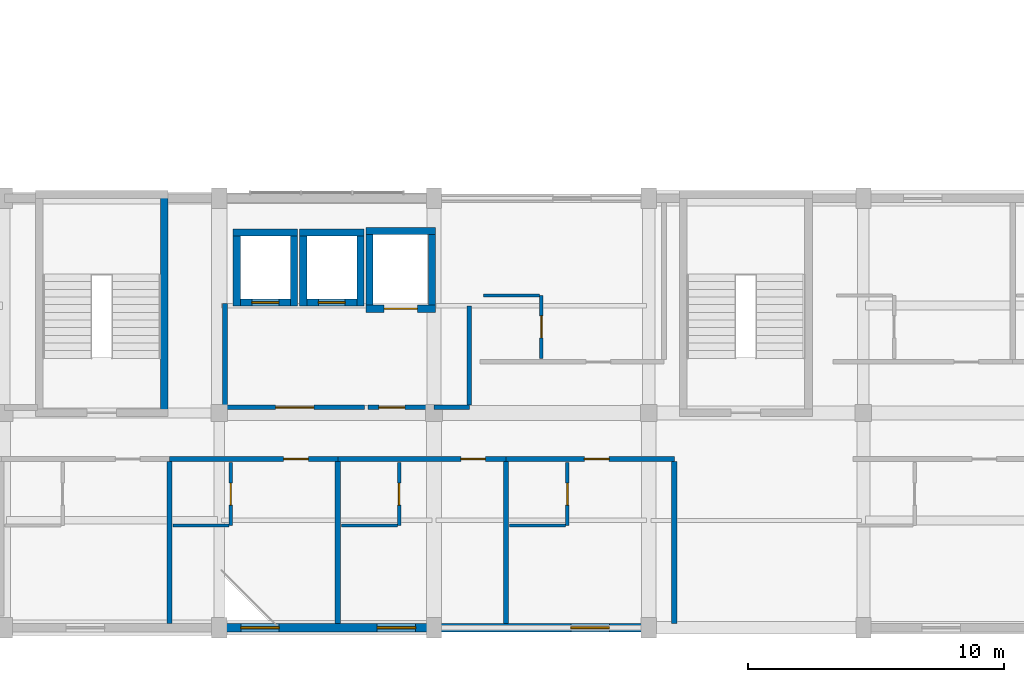
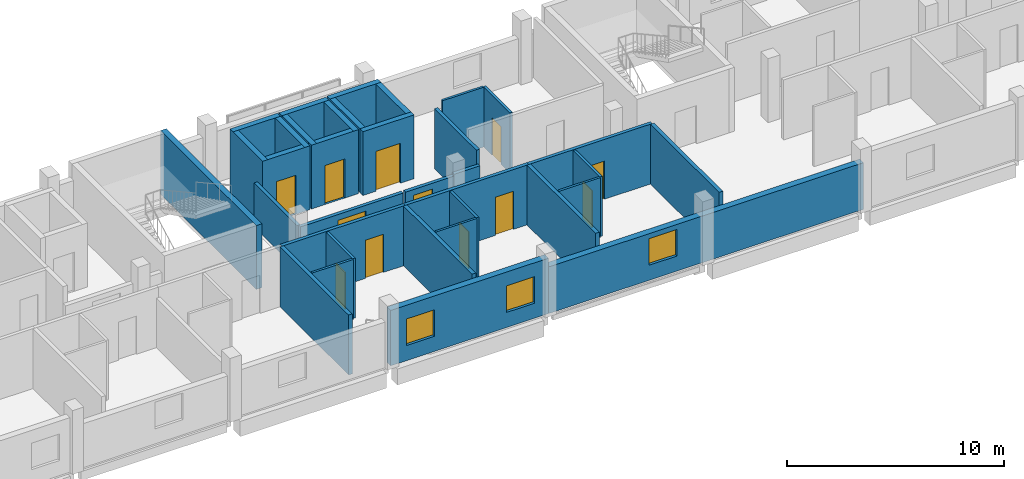
# One storey, part 18 of 26: 35 walls, 12 doors, 3 windows, 15 openings.
"""IFC4 building model written with IfcOpenShell, lengths in metres."""

import ifcopenshell
import ifcopenshell.guid

model = None  # the IFC model being written
_history = None  # IfcOwnerHistory: only IFC2X3 demands one
_inside = {}  # id of a spatial element -> (the spatial element, [elements in it])
_under = {}  # id of a project, library or spatial element -> (it, [spatial elements below it])
_declared = {}  # id of a project -> (the project, [libraries it declares])
_typed = {}  # id of a type object -> (the type object, [elements of that type])
_made_of = {}  # id of a material, layer set ... -> (it, [elements and type objects made of it])


def new_model(schema):
    """Start an empty IFC model of exactly this schema.

    Asked for "IFC4X3", IfcOpenShell would pick the latest addendum, in which some entities
    have other attributes; the version numbers below select the first issue.
    IFC2X3 requires an IfcOwnerHistory on every rooted entity: one is made here for all.
    """
    global model, _history
    if schema == "IFC4X3":
        model = ifcopenshell.file(schema_version=(4, 3, 0, 0))
    else:
        model = ifcopenshell.file(schema=schema)
    _inside.clear()
    _under.clear()
    _declared.clear()
    _typed.clear()
    _made_of.clear()
    _history = None
    if model.schema == "IFC2X3":
        org = make("IfcOrganization", Name="unknown")
        user = make(
            "IfcPersonAndOrganization",
            ThePerson=make("IfcPerson", FamilyName="unknown"),
            TheOrganization=org,
        )
        app = make(
            "IfcApplication",
            ApplicationDeveloper=org,
            Version="unknown",
            ApplicationFullName="unknown",
            ApplicationIdentifier="unknown",
        )
        _history = make(
            "IfcOwnerHistory",
            OwningUser=user,
            OwningApplication=app,
            ChangeAction="ADDED",
            CreationDate=0,
        )
    return model


def make(cls, **values):
    """One entity of the class cls with the attributes given. An attribute that is None is left unset."""
    return model.create_entity(
        cls, **{name: value for name, value in values.items() if value is not None}
    )


def rooted(cls, **values):
    """An entity with a GlobalId (a new one), such as an element, a storey or a relation."""
    return make(cls, GlobalId=ifcopenshell.guid.new(), OwnerHistory=_history, **values)


def si_unit(unit_type, name, prefix=None):
    """IfcSIUnit, for example si_unit("LENGTHUNIT", "METRE", prefix="MILLI")."""
    return make("IfcSIUnit", UnitType=unit_type, Prefix=prefix, Name=name)


def derived_unit(unit_type, elements):
    """IfcDerivedUnit: a product of units, each with its exponent."""
    return make(
        "IfcDerivedUnit",
        Elements=[
            make("IfcDerivedUnitElement", Unit=unit, Exponent=power)
            for unit, power in elements
        ],
        UnitType=unit_type,
    )


def assignment(units):
    """IfcUnitAssignment: the units of a project."""
    return None if units is None else make("IfcUnitAssignment", Units=units)


def point(xyz):
    """IfcCartesianPoint."""
    return None if xyz is None else make("IfcCartesianPoint", Coordinates=xyz)


def direction(xyz):
    """IfcDirection."""
    return None if xyz is None else make("IfcDirection", DirectionRatios=xyz)


def frame(location, z_axis=None, x_axis=None):
    """IfcAxis2Placement3D, a coordinate frame: its origin and axes. An axis left out is left unset."""
    return make(
        "IfcAxis2Placement3D",
        Location=point(location),
        Axis=direction(z_axis),
        RefDirection=direction(x_axis),
    )


def frame_2d(location, x_axis=None):
    """IfcAxis2Placement2D, a coordinate frame in the plane: its origin and x axis."""
    return make(
        "IfcAxis2Placement2D", Location=point(location), RefDirection=direction(x_axis)
    )


def origin():
    """The frame at (0, 0, 0) with its axes left unset."""
    return frame((0.0, 0.0, 0.0))


def place(relative_to, where):
    """IfcLocalPlacement: puts the frame where relative to a parent placement (None: the world)."""
    return make(
        "IfcLocalPlacement", PlacementRelTo=relative_to, RelativePlacement=where
    )


def context(
    kind, dimensions, precision=None, world=None, true_north=None, identifier=None
):
    """IfcGeometricRepresentationContext, for example the 3D "Model" context."""
    return make(
        "IfcGeometricRepresentationContext",
        ContextIdentifier=identifier,
        ContextType=kind,
        CoordinateSpaceDimension=dimensions,
        Precision=precision,
        WorldCoordinateSystem=world,
        TrueNorth=true_north,
    )


def subcontext(parent, identifier, kind, view, scale=None):
    """IfcGeometricRepresentationSubContext, for example "Body" below "Model"."""
    return make(
        "IfcGeometricRepresentationSubContext",
        ContextIdentifier=identifier,
        ContextType=kind,
        ParentContext=parent,
        TargetScale=scale,
        TargetView=view,
    )


def project(units=None, contexts=None):
    """IfcProject with its units and contexts."""
    return rooted(
        "IfcProject",
        Name="project",
        RepresentationContexts=contexts,
        UnitsInContext=assignment(units),
    )


def spatial(cls, under=None, at=None, **own):
    """A site, building, storey or space (cls), placed at a placement, below another one or the project."""
    s = rooted(cls, ObjectPlacement=at, **own)
    if under is not None:
        _under.setdefault(under.id(), (under, []))[1].append(s)
    return s


def profile(cls, at=None, kind="AREA", **sizes):
    """A parametric profile (cls). Its sizes go by their IFC names, for example OverallWidth=200.0."""
    return make(cls, ProfileType=kind, Position=at, **sizes)


def rectangle(**sizes):
    """IfcRectangleProfileDef."""
    return profile("IfcRectangleProfileDef", **sizes)


def extrude(swept, where, along, depth):
    """IfcExtrudedAreaSolid: the profile swept, set in the frame where, extruded along a direction by depth."""
    return make(
        "IfcExtrudedAreaSolid",
        SweptArea=swept,
        Position=where,
        ExtrudedDirection=direction(along),
        Depth=depth,
    )


def shape(context_of_items, identifier, shape_type, items):
    """IfcShapeRepresentation: the items that make up one representation, for example the "Body"."""
    return make(
        "IfcShapeRepresentation",
        ContextOfItems=context_of_items,
        RepresentationIdentifier=identifier,
        RepresentationType=shape_type,
        Items=items,
    )


def material(Name=None, Category=None):
    """IfcMaterial."""
    return make("IfcMaterial", Name=Name, Category=Category)


def layer(
    of_material, thickness, ventilated=None, Name=None, Category=None, Priority=None
):
    """IfcMaterialLayer: one layer of a wall or slab, of a material (None: an air gap)."""
    return make(
        "IfcMaterialLayer",
        Material=of_material,
        LayerThickness=thickness,
        IsVentilated=ventilated,
        Name=Name,
        Category=Category,
        Priority=Priority,
    )


def layer_set(layers, Name=None):
    """IfcMaterialLayerSet."""
    return make("IfcMaterialLayerSet", MaterialLayers=layers, LayerSetName=Name)


def made_of(thing, what):
    """Note that an element or type object is made of a material, layer set ...; save() writes the relation."""
    if what is not None:
        _made_of.setdefault(what.id(), (what, []))[1].append(thing)
    return thing


def type_object(cls, material=None, **own):
    """A type object (cls), such as IfcWallType, which elements share."""
    return made_of(rooted(cls, **own), material)


def element(
    cls,
    number,
    at=None,
    inside=None,
    cuts=None,
    type_object=None,
    material=None,
    context=None,
    identifier="Body",
    shape_type=None,
    held_by="IfcProductDefinitionShape",
    body=None,
    shapes=None,
    **own,
):
    """One element of the class cls, such as IfcWall. Its Tag is "e" and its number.

    at: its placement. inside: the storey or other place that contains it. cuts: it is an
    opening in that element (IfcRelVoidsElement). A single representation is given by context,
    identifier, shape_type and body (its items); several are given by shapes. held_by: the class
    of the entity that holds the representations. save() writes the other relations.
    """
    e = rooted(cls, Tag="e%d" % number, ObjectPlacement=at, **own)
    if body is not None:
        shapes = [shape(context, identifier, shape_type, body)]
    if shapes is not None:
        e.Representation = make(held_by, Representations=shapes)
    if inside is not None:
        _inside.setdefault(inside.id(), (inside, []))[1].append(e)
    if cuts is not None:
        rooted(
            "IfcRelVoidsElement", RelatingBuildingElement=cuts, RelatedOpeningElement=e
        )
    if type_object is not None:
        _typed.setdefault(type_object.id(), (type_object, []))[1].append(e)
    return made_of(e, material)


def fill(opening, filler):
    """IfcRelFillsElement: the door or window that sits in an opening."""
    return rooted(
        "IfcRelFillsElement",
        RelatingOpeningElement=opening,
        RelatedBuildingElement=filler,
    )


def aggregate(whole, parts):
    """IfcRelAggregates: a whole, such as a stair, and the parts it consists of."""
    return rooted("IfcRelAggregates", RelatingObject=whole, RelatedObjects=parts)


def save(model, path):
    """Write the relations noted so far, then the file.

    IfcRelAggregates (storeys below a building ...), IfcRelContainedInSpatialStructure (elements
    in a storey), IfcRelDefinesByType, IfcRelAssociatesMaterial and IfcRelDeclares: one each for
    every whole, place, type object, material and project.
    """
    for whole, parts in _under.values():
        aggregate(whole, parts)
    for where, things in _inside.values():
        rooted(
            "IfcRelContainedInSpatialStructure",
            RelatedElements=things,
            RelatingStructure=where,
        )
    for kind, things in _typed.values():
        rooted("IfcRelDefinesByType", RelatedObjects=things, RelatingType=kind)
    for what, things in _made_of.values():
        rooted("IfcRelAssociatesMaterial", RelatedObjects=things, RelatingMaterial=what)
    for by, libraries in _declared.values():
        rooted("IfcRelDeclares", RelatingContext=by, RelatedDefinitions=libraries)
    model.write(path)


model = new_model("IFC4")

# Units and contexts
model_context = context("Model", 3, precision=1e-05, world=origin(), true_north=direction((0.0, 1.0)))
body_context = subcontext(model_context, "Body", "Model", "MODEL_VIEW")
ifc_project = project(units=[si_unit("LENGTHUNIT", "METRE"), si_unit("AREAUNIT", "SQUARE_METRE"), si_unit("VOLUMEUNIT", "CUBIC_METRE"), si_unit("PLANEANGLEUNIT", "RADIAN"), si_unit("MASSUNIT", "GRAM", prefix="KILO"), derived_unit("THERMALTRANSMITTANCEUNIT", [(si_unit("POWERUNIT", "WATT"), 1), (si_unit("LENGTHUNIT", "METRE"), -2), (si_unit("THERMODYNAMICTEMPERATUREUNIT", "KELVIN"), -1)])], contexts=[model_context])

# Site, building, storey
site_placement = place(None, origin())
site = spatial("IfcSite", under=ifc_project, at=site_placement, CompositionType="ELEMENT")
building_placement = place(site_placement, origin())
building = spatial("IfcBuilding", under=site, at=building_placement, Name="Barrovel Congress Hotel", CompositionType="ELEMENT")
storey_placement = place(building_placement, frame((0.0, 0.0, 21.89990234375)))
storey = spatial("IfcBuildingStorey", under=building, at=storey_placement, Name="L05", CompositionType="ELEMENT", Elevation=21.89990234375)

# Wall, opening, window
ifc_material_1 = material(Name="Fired Clay Brick Masonry", Category="masonry")
ifc_layer_1 = layer(ifc_material_1, 0.340087890625)
ifc_layer_set_1 = layer_set([ifc_layer_1], Name="Fired Clay Brick Masonry")
wall_type_1 = type_object("IfcWallType", Name="EW-BRK340", PredefinedType="STANDARD", material=ifc_layer_set_1)
wall_1_placement = place(storey_placement, frame((92.39990234375, 4.199951171875, 0.0), z_axis=(0.0, 0.0, 1.0), x_axis=(1.0, 0.0, 0.0)))
wall_1 = element("IfcWall", 1, at=wall_1_placement, inside=storey, type_object=wall_type_1, Name="EW:L05:HS-S", PredefinedType="STANDARD", context=body_context, shape_type="SweptSolid", body=[
    extrude(rectangle(XDim=16.800048828125, YDim=0.340087890625, at=frame_2d((8.39990234375, 0.0))), origin(), (0.0, 0.0, 1.0), 2.630126953125),
])
opening_1_placement = place(wall_1_placement, frame((5.3583984375, 0.0, 0.85009765625)))
opening_1 = element("IfcOpeningElement", 2, at=opening_1_placement, cuts=wall_1, Name="Opening WN-07", PredefinedType="OPENING", context=body_context, shape_type="SweptSolid", body=[
    extrude(rectangle(XDim=1.5, YDim=1.5, at=frame_2d((0.75, 0.75))), frame((0.0, 0.18017578125, 0.0), z_axis=(0.0, -1.0, 0.0), x_axis=(1.0, 0.0, 0.0)), (0.0, 0.0, 1.0), 0.360107421875),
])
ifc_material_2 = material(Name="Double Low-E Insulated Glazing", Category="glass")
window_type = type_object("IfcWindowType", Name="WIN-WN-07", PartitioningType="SINGLE_PANEL", PredefinedType="WINDOW", material=ifc_material_2)
window_1_placement = place(opening_1_placement, origin())
window_1 = element("IfcWindow", 3, at=window_1_placement, inside=storey, type_object=window_type, Name="WIN:L05:U13", OverallHeight=1.5, OverallWidth=1.5, PartitioningType="SINGLE_PANEL", PredefinedType="WINDOW", context=body_context, shape_type="SweptSolid", body=[
    extrude(rectangle(XDim=1.5, YDim=1.5, at=frame_2d((0.75, 0.75))), frame((0.0, 0.030029296875, 0.0), z_axis=(0.0, -1.0, 0.0), x_axis=(1.0, 0.0, 0.0)), (0.0, 0.0, 1.0), 0.06005859375),
])
fill(opening_1, window_1)

# Wall, openings, windows
wall_2_placement = place(storey_placement, frame((84.0, 4.199951171875, 0.0), z_axis=(0.0, 0.0, 1.0), x_axis=(1.0, 0.0, 0.0)))
wall_2 = element("IfcWall", 4, at=wall_2_placement, inside=storey, type_object=wall_type_1, Name="EW:L05:HS-S:P08", PredefinedType="STANDARD", context=body_context, shape_type="SweptSolid", body=[
    extrude(rectangle(XDim=8.39990234375, YDim=0.340087890625, at=frame_2d((4.199951171875, 0.0))), origin(), (0.0, 0.0, 1.0), 3.1259765625),
])
opening_2_placement = place(wall_2_placement, frame((0.841796875, 0.0, 0.85009765625)))
opening_2 = element("IfcOpeningElement", 5, at=opening_2_placement, cuts=wall_2, Name="Opening WN-07", PredefinedType="OPENING", context=body_context, shape_type="SweptSolid", body=[
    extrude(rectangle(XDim=1.5, YDim=1.5, at=frame_2d((0.75, 0.75))), frame((0.0, 0.18017578125, 0.0), z_axis=(0.0, -1.0, 0.0), x_axis=(1.0, 0.0, 0.0)), (0.0, 0.0, 1.0), 0.360107421875),
])
opening_3_placement = place(wall_2_placement, frame((6.175048828125, 0.0, 0.85009765625)))
opening_3 = element("IfcOpeningElement", 6, at=opening_3_placement, cuts=wall_2, Name="Opening WN-07", PredefinedType="OPENING", context=body_context, shape_type="SweptSolid", body=[
    extrude(rectangle(XDim=1.5, YDim=1.5, at=frame_2d((0.75, 0.75))), frame((0.0, 0.18017578125, 0.0), z_axis=(0.0, -1.0, 0.0), x_axis=(1.0, 0.0, 0.0)), (0.0, 0.0, 1.0), 0.360107421875),
])
window_2_placement = place(opening_2_placement, origin())
window_2 = element("IfcWindow", 7, at=window_2_placement, inside=storey, type_object=window_type, Name="WIN:L05:U11", OverallHeight=1.5, OverallWidth=1.5, PartitioningType="SINGLE_PANEL", PredefinedType="WINDOW", context=body_context, shape_type="SweptSolid", body=[
    extrude(rectangle(XDim=1.5, YDim=1.5, at=frame_2d((0.75, 0.75))), frame((0.0, 0.030029296875, 0.0), z_axis=(0.0, -1.0, 0.0), x_axis=(1.0, 0.0, 0.0)), (0.0, 0.0, 1.0), 0.06005859375),
])
fill(opening_2, window_2)
window_3_placement = place(opening_3_placement, origin())
window_3 = element("IfcWindow", 8, at=window_3_placement, inside=storey, type_object=window_type, Name="WIN:L05:U12", OverallHeight=1.5, OverallWidth=1.5, PartitioningType="SINGLE_PANEL", PredefinedType="WINDOW", context=body_context, shape_type="SweptSolid", body=[
    extrude(rectangle(XDim=1.5, YDim=1.5, at=frame_2d((0.75, 0.75))), frame((0.0, 0.030029296875, 0.0), z_axis=(0.0, -1.0, 0.0), x_axis=(1.0, 0.0, 0.0)), (0.0, 0.0, 1.0), 0.06005859375),
])
fill(opening_3, window_3)

# Wall, opening, door
ifc_material_3 = material(Name="Gypsum Acoustic Stud", Category="gypsum")
ifc_layer_2 = layer(ifc_material_3, 0.179931640625)
ifc_layer_set_2 = layer_set([ifc_layer_2], Name="Gypsum Acoustic Stud")
wall_type_2 = type_object("IfcWallType", Name="PW-ACU-180", PredefinedType="PARTITIONING", material=ifc_layer_set_2)
wall_3_placement = place(storey_placement, frame((82.050048828125, 10.800048828125, 0.0), z_axis=(0.0, 0.0, 1.0), x_axis=(1.0, 0.0, 0.0)))
wall_3 = element("IfcWall", 9, at=wall_3_placement, inside=storey, type_object=wall_type_2, Name="PW:L05:U11:COR", PredefinedType="PARTITIONING", context=body_context, shape_type="SweptSolid", body=[
    extrude(rectangle(XDim=6.583251953125, YDim=0.179931640625, at=frame_2d((3.29150390625, 0.0))), origin(), (0.0, 0.0, 1.0), 3.375),
])
opening_4_placement = place(wall_3_placement, frame((4.468505859375, 0.0, 0.0)))
opening_4 = element("IfcOpeningElement", 10, at=opening_4_placement, cuts=wall_3, Name="Opening ID-HTL", PredefinedType="OPENING", context=body_context, shape_type="SweptSolid", body=[
    extrude(rectangle(XDim=0.9599609375, YDim=2.14990234375, at=frame_2d((0.47998046875, 1.074951171875))), frame((0.0, 0.10009765625, 0.0), z_axis=(0.0, -1.0, 0.0), x_axis=(1.0, 0.0, 0.0)), (0.0, 0.0, 1.0), 0.199951171875),
])
ifc_material_4 = material(Name="Solid Oak Acoustic Timber Door", Category="wood")
door_type_1 = type_object("IfcDoorType", Name="IDR-ID-HTL", OperationType="NOTDEFINED", PredefinedType="DOOR", material=ifc_material_4)
door_1_placement = place(opening_4_placement, origin())
door_1 = element("IfcDoor", 11, at=door_1_placement, inside=storey, type_object=door_type_1, Name="DR:L05:U11:ENT", OperationType="SINGLE_SWING_RIGHT", OverallHeight=2.14990234375, OverallWidth=0.9599609375, PredefinedType="DOOR", context=body_context, shape_type="SweptSolid", body=[
    extrude(rectangle(XDim=0.9599609375, YDim=2.14990234375, at=frame_2d((0.47998046875, 1.074951171875))), frame((0.0, 0.02490234375, 0.0), z_axis=(0.0, -1.0, 0.0), x_axis=(1.0, 0.0, 0.0)), (0.0, 0.0, 1.0), 0.050048828125),
])
fill(opening_4, door_1)

wall_4_placement = place(storey_placement, frame((88.63330078125, 10.800048828125, 0.0), z_axis=(0.0, 0.0, 1.0), x_axis=(1.0, 0.0, 0.0)))
wall_4 = element("IfcWall", 12, at=wall_4_placement, inside=storey, type_object=wall_type_2, Name="PW:L05:U12:COR", PredefinedType="PARTITIONING", context=body_context, shape_type="SweptSolid", body=[
    extrude(rectangle(XDim=6.58349609375, YDim=0.179931640625, at=frame_2d((3.291748046875, 0.0))), origin(), (0.0, 0.0, 1.0), 3.375),
])
opening_5_placement = place(wall_4_placement, frame((4.818603515625, 0.0, 0.0)))
opening_5 = element("IfcOpeningElement", 13, at=opening_5_placement, cuts=wall_4, Name="Opening ID-HTL", PredefinedType="OPENING", context=body_context, shape_type="SweptSolid", body=[
    extrude(rectangle(XDim=0.9599609375, YDim=2.14990234375, at=frame_2d((0.47998046875, 1.074951171875))), frame((0.0, 0.10009765625, 0.0), z_axis=(0.0, -1.0, 0.0), x_axis=(1.0, 0.0, 0.0)), (0.0, 0.0, 1.0), 0.199951171875),
])
door_2_placement = place(opening_5_placement, origin())
door_2 = element("IfcDoor", 14, at=door_2_placement, inside=storey, type_object=door_type_1, Name="DR:L05:U12:ENT", OperationType="SINGLE_SWING_RIGHT", OverallHeight=2.14990234375, OverallWidth=0.9599609375, PredefinedType="DOOR", context=body_context, shape_type="SweptSolid", body=[
    extrude(rectangle(XDim=0.9599609375, YDim=2.14990234375, at=frame_2d((0.47998046875, 1.074951171875))), frame((0.0, 0.02490234375, 0.0), z_axis=(0.0, -1.0, 0.0), x_axis=(1.0, 0.0, 0.0)), (0.0, 0.0, 1.0), 0.050048828125),
])
fill(opening_5, door_2)

wall_5_placement = place(storey_placement, frame((95.216796875, 10.800048828125, 0.0), z_axis=(0.0, 0.0, 1.0), x_axis=(1.0, 0.0, 0.0)))
wall_5 = element("IfcWall", 15, at=wall_5_placement, inside=storey, type_object=wall_type_2, Name="PW:L05:U13:COR", PredefinedType="PARTITIONING", context=body_context, shape_type="SweptSolid", body=[
    extrude(rectangle(XDim=6.583251953125, YDim=0.179931640625, at=frame_2d((3.29150390625, 0.0))), origin(), (0.0, 0.0, 1.0), 3.375),
])
opening_6_placement = place(wall_5_placement, frame((3.068603515625, 0.0, 0.0)))
opening_6 = element("IfcOpeningElement", 16, at=opening_6_placement, cuts=wall_5, Name="Opening ID-HTL", PredefinedType="OPENING", context=body_context, shape_type="SweptSolid", body=[
    extrude(rectangle(XDim=0.9599609375, YDim=2.14990234375, at=frame_2d((0.47998046875, 1.074951171875))), frame((0.0, 0.10009765625, 0.0), z_axis=(0.0, -1.0, 0.0), x_axis=(1.0, 0.0, 0.0)), (0.0, 0.0, 1.0), 0.199951171875),
])
door_3_placement = place(opening_6_placement, origin())
door_3 = element("IfcDoor", 17, at=door_3_placement, inside=storey, type_object=door_type_1, Name="DR:L05:U13:ENT", OperationType="SINGLE_SWING_RIGHT", OverallHeight=2.14990234375, OverallWidth=0.9599609375, PredefinedType="DOOR", context=body_context, shape_type="SweptSolid", body=[
    extrude(rectangle(XDim=0.9599609375, YDim=2.14990234375, at=frame_2d((0.47998046875, 1.074951171875))), frame((0.0, 0.02490234375, 0.0), z_axis=(0.0, -1.0, 0.0), x_axis=(1.0, 0.0, 0.0)), (0.0, 0.0, 1.0), 0.050048828125),
])
fill(opening_6, door_3)

wall_6_placement = place(storey_placement, frame((84.219970703125, 12.820068359375, 0.0), z_axis=(0.0, 0.0, 1.0), x_axis=(1.0, 0.0, 0.0)))
wall_6 = element("IfcWall", 18, at=wall_6_placement, inside=storey, type_object=wall_type_2, Name="RW:SP:L05:LL-C2:S", PredefinedType="PARTITIONING", context=body_context, shape_type="SweptSolid", body=[
    extrude(rectangle(XDim=5.4599609375, YDim=0.179931640625, at=frame_2d((2.72998046875, 0.0))), origin(), (0.0, 0.0, 1.0), 2.47998046875),
])
opening_7_placement = place(wall_6_placement, frame((1.97998046875, 0.0, 0.0)))
opening_7 = element("IfcOpeningElement", 19, at=opening_7_placement, cuts=wall_6, Name="Opening ID-FFL", PredefinedType="OPENING", context=body_context, shape_type="SweptSolid", body=[
    extrude(rectangle(XDim=1.5, YDim=2.14990234375, at=frame_2d((0.75, 1.074951171875))), frame((0.0, 0.10009765625, 0.0), z_axis=(0.0, -1.0, 0.0), x_axis=(1.0, 0.0, 0.0)), (0.0, 0.0, 1.0), 0.199951171875),
])
ifc_material_5 = material(Name="Painted Hollow-Metal Steel Door", Category="steel")
door_type_2 = type_object("IfcDoorType", Name="IDR-ID-FFL", OperationType="NOTDEFINED", PredefinedType="DOOR", material=ifc_material_5)
door_4_placement = place(opening_7_placement, origin())
door_4 = element("IfcDoor", 20, at=door_4_placement, inside=storey, type_object=door_type_2, Name="RD:SP:L05:LL-C2", OperationType="DOUBLE_DOOR_SINGLE_SWING", OverallHeight=2.14990234375, OverallWidth=1.5, PredefinedType="DOOR", context=body_context, shape_type="SweptSolid", body=[
    extrude(rectangle(XDim=1.5, YDim=2.14990234375, at=frame_2d((0.75, 1.074951171875))), frame((0.0, 0.02490234375, 0.0), z_axis=(0.0, -1.0, 0.0), x_axis=(1.0, 0.0, 0.0)), (0.0, 0.0, 1.0), 0.050048828125),
])
fill(opening_7, door_4)

# Wall
wall_7_placement = place(storey_placement, frame((84.219970703125, 12.909912109375, 0.0), z_axis=(0.0, 0.0, 1.0), x_axis=(0.0, 1.0, 0.0)))
element("IfcWall", 21, at=wall_7_placement, inside=storey, type_object=wall_type_2, Name="RW:SP:L05:LL-C2:W", PredefinedType="PARTITIONING", context=body_context, shape_type="SweptSolid", body=[
    extrude(rectangle(XDim=3.969970703125, YDim=0.179931640625, at=frame_2d((1.98486328125, 0.0))), origin(), (0.0, 0.0, 1.0), 2.47998046875),
])

# Wall, opening, door
wall_8_placement = place(storey_placement, frame((89.820068359375, 12.820068359375, 0.0), z_axis=(0.0, 0.0, 1.0), x_axis=(1.0, 0.0, 0.0)))
wall_8 = element("IfcWall", 22, at=wall_8_placement, inside=storey, type_object=wall_type_2, Name="RW:SP:L05:LL-SL2:S", PredefinedType="PARTITIONING", context=body_context, shape_type="SweptSolid", body=[
    extrude(rectangle(XDim=2.579833984375, YDim=0.179931640625, at=frame_2d((1.2900390625, 0.0))), origin(), (0.0, 0.0, 1.0), 2.47998046875),
])
opening_8_placement = place(wall_8_placement, frame((0.419921875, 0.0, 0.0)))
opening_8 = element("IfcOpeningElement", 23, at=opening_8_placement, cuts=wall_8, Name="Opening ID-ACC", PredefinedType="OPENING", context=body_context, shape_type="SweptSolid", body=[
    extrude(rectangle(XDim=1.02001953125, YDim=2.14990234375, at=frame_2d((0.510009765625, 1.074951171875))), frame((0.0, 0.10009765625, 0.0), z_axis=(0.0, -1.0, 0.0), x_axis=(1.0, 0.0, 0.0)), (0.0, 0.0, 1.0), 0.199951171875),
])
door_type_3 = type_object("IfcDoorType", Name="IDR-ID-ACC", OperationType="NOTDEFINED", PredefinedType="DOOR", material=ifc_material_4)
door_5_placement = place(opening_8_placement, origin())
door_5 = element("IfcDoor", 24, at=door_5_placement, inside=storey, type_object=door_type_3, Name="RD:SP:L05:LL-SL2", OperationType="SINGLE_SWING_RIGHT", OverallHeight=2.14990234375, OverallWidth=1.02001953125, PredefinedType="DOOR", context=body_context, shape_type="SweptSolid", body=[
    extrude(rectangle(XDim=1.02001953125, YDim=2.14990234375, at=frame_2d((0.510009765625, 1.074951171875))), frame((0.0, 0.02490234375, 0.0), z_axis=(0.0, -1.0, 0.0), x_axis=(1.0, 0.0, 0.0)), (0.0, 0.0, 1.0), 0.050048828125),
])
fill(opening_8, door_5)

# Walls
wall_9_placement = place(storey_placement, frame((93.780029296875, 12.909912109375, 0.0), z_axis=(0.0, 0.0, 1.0), x_axis=(0.0, 1.0, 0.0)))
element("IfcWall", 25, at=wall_9_placement, inside=storey, type_object=wall_type_2, Name="RW:SP:L05:LL-SL2:E", PredefinedType="PARTITIONING", context=body_context, shape_type="SweptSolid", body=[
    extrude(rectangle(XDim=3.8701171875, YDim=0.179931640625, at=frame_2d((1.93505859375, 0.0))), origin(), (0.0, 0.0, 1.0), 3.375),
])
wall_10_placement = place(storey_placement, frame((92.39990234375, 12.820068359375, 0.0), z_axis=(0.0, 0.0, 1.0), x_axis=(1.0, 0.0, 0.0)))
element("IfcWall", 26, at=wall_10_placement, inside=storey, type_object=wall_type_2, Name="RW:SP:L05:LL-SL2:S:P02", PredefinedType="PARTITIONING", context=body_context, shape_type="SweptSolid", body=[
    extrude(rectangle(XDim=1.380126953125, YDim=0.179931640625, at=frame_2d((0.68994140625, 0.0))), origin(), (0.0, 0.0, 1.0), 2.580078125),
])
ifc_layer_3 = layer(ifc_material_3, 0.1201171875)
ifc_layer_set_3 = layer_set([ifc_layer_3], Name="Gypsum Acoustic Stud")
wall_type_3 = type_object("IfcWallType", Name="PW-INT-120", PredefinedType="PARTITIONING", material=ifc_layer_set_3)
wall_11_placement = place(storey_placement, frame((82.18994140625, 8.199951171875, 0.0), z_axis=(0.0, 0.0, 1.0), x_axis=(1.0, 0.0, 0.0)))
element("IfcWall", 27, at=wall_11_placement, inside=storey, type_object=wall_type_3, Name="PW:L05:U11:B2", PredefinedType="PARTITIONING", context=body_context, shape_type="SweptSolid", body=[
    extrude(rectangle(XDim=2.18994140625, YDim=0.1201171875, at=frame_2d((1.094970703125, 0.0))), origin(), (0.0, 0.0, 1.0), 3.375),
])
wall_12_placement = place(storey_placement, frame((88.773193359375, 8.199951171875, 0.0), z_axis=(0.0, 0.0, 1.0), x_axis=(1.0, 0.0, 0.0)))
element("IfcWall", 28, at=wall_12_placement, inside=storey, type_object=wall_type_3, Name="PW:L05:U12:B2", PredefinedType="PARTITIONING", context=body_context, shape_type="SweptSolid", body=[
    extrude(rectangle(XDim=2.190185546875, YDim=0.1201171875, at=frame_2d((1.09521484375, 0.0))), origin(), (0.0, 0.0, 1.0), 3.375),
])
for number, where, z_axis, x_axis, name in (
    (29, (95.356689453125, 8.199951171875, 0.0), (0.0, 0.0, 1.0), (1.0, 0.0, 0.0), "PW:L05:U13:B2"),
    (30, (94.340087890625, 17.199951171875, 0.0), (0.0, 0.0, 1.0), (1.0, 0.0, 0.0), "PW:L05:U24:B2"),
):
    element("IfcWall", number, at=place(storey_placement, frame(where, z_axis=z_axis, x_axis=x_axis)), inside=storey, type_object=wall_type_3, Name=name, PredefinedType="PARTITIONING", context=body_context, shape_type="SweptSolid", body=[
        extrude(rectangle(XDim=2.18994140625, YDim=0.1201171875, at=frame_2d((1.094970703125, 0.0))), origin(), (0.0, 0.0, 1.0), 3.375),
    ])
ifc_layer_4 = layer(ifc_material_1, 0.199951171875)
ifc_layer_set_4 = layer_set([ifc_layer_4], Name="Fired Clay Brick Masonry")
wall_type_4 = type_object("IfcWallType", Name="PW-MAS-200", PredefinedType="PARTITIONING", material=ifc_layer_set_4)
for number, where, z_axis, x_axis, name in (
    (31, (82.050048828125, 4.3701171875, 0.0), (0.0, 0.0, 1.0), (0.0, 1.0, 0.0), "PW:L05:U10:DEM"),
    (32, (88.63330078125, 4.3701171875, 0.0), (0.0, 0.0, 1.0), (0.0, 1.0, 0.0), "PW:L05:U11:DEM"),
    (33, (95.216796875, 4.3701171875, 0.0), (0.0, 0.0, 1.0), (0.0, 1.0, 0.0), "PW:L05:U12:DEM"),
    (34, (101.800048828125, 4.3701171875, 0.0), (0.0, 0.0, 1.0), (0.0, 1.0, 0.0), "PW:L05:U13:DEM"),
):
    element("IfcWall", number, at=place(storey_placement, frame(where, z_axis=z_axis, x_axis=x_axis)), inside=storey, type_object=wall_type_4, Name=name, PredefinedType="PARTITIONING", context=body_context, shape_type="SweptSolid", body=[
        extrude(rectangle(XDim=6.33984375, YDim=0.199951171875, at=frame_2d((3.169921875, 0.0))), origin(), (0.0, 0.0, 1.0), 3.375),
    ])

# Wall, opening, door
ifc_material_6 = material(Name="Gypsum Moisture Board", Category="gypsum")
ifc_layer_5 = layer(ifc_material_6, 0.139892578125)
ifc_layer_set_5 = layer_set([ifc_layer_5], Name="Gypsum Moisture Board")
wall_type_5 = type_object("IfcWallType", Name="PW-WET-140", PredefinedType="PARTITIONING", material=ifc_layer_set_5)
wall_13_placement = place(storey_placement, frame((84.449951171875, 8.199951171875, 0.0), z_axis=(0.0, 0.0, 1.0), x_axis=(0.0, 1.0, 0.0)))
wall_13 = element("IfcWall", 35, at=wall_13_placement, inside=storey, type_object=wall_type_5, Name="PW:L05:U11:B1", PredefinedType="PARTITIONING", context=body_context, shape_type="SweptSolid", body=[
    extrude(rectangle(XDim=2.4599609375, YDim=0.139892578125, at=frame_2d((1.22998046875, 0.0))), origin(), (0.0, 0.0, 1.0), 3.375),
])
opening_9_placement = place(wall_13_placement, frame((0.800048828125, 0.0, 0.0)))
opening_9 = element("IfcOpeningElement", 36, at=opening_9_placement, cuts=wall_13, Name="Opening ID-ENS", PredefinedType="OPENING", context=body_context, shape_type="SweptSolid", body=[
    extrude(rectangle(XDim=0.860107421875, YDim=2.10009765625, at=frame_2d((0.43017578125, 1.050048828125))), frame((0.0, 0.080078125, 0.0), z_axis=(0.0, -1.0, 0.0), x_axis=(1.0, 0.0, 0.0)), (0.0, 0.0, 1.0), 0.159912109375),
])
ifc_material_7 = material(Name="Lacquered Timber Moisture Door", Category="wood")
door_type_4 = type_object("IfcDoorType", Name="IDR-ID-ENS", OperationType="NOTDEFINED", PredefinedType="DOOR", material=ifc_material_7)
door_6_placement = place(opening_9_placement, origin())
door_6 = element("IfcDoor", 37, at=door_6_placement, inside=storey, type_object=door_type_4, Name="DR:L05:U11:ENS", OperationType="SINGLE_SWING_LEFT", OverallHeight=2.10009765625, OverallWidth=0.860107421875, PredefinedType="DOOR", context=body_context, shape_type="SweptSolid", body=[
    extrude(rectangle(XDim=0.860107421875, YDim=2.10009765625, at=frame_2d((0.43017578125, 1.050048828125))), frame((0.0, 0.02490234375, 0.0), z_axis=(0.0, -1.0, 0.0), x_axis=(1.0, 0.0, 0.0)), (0.0, 0.0, 1.0), 0.050048828125),
])
fill(opening_9, door_6)

wall_14_placement = place(storey_placement, frame((91.033203125, 8.199951171875, 0.0), z_axis=(0.0, 0.0, 1.0), x_axis=(0.0, 1.0, 0.0)))
wall_14 = element("IfcWall", 38, at=wall_14_placement, inside=storey, type_object=wall_type_5, Name="PW:L05:U12:B1", PredefinedType="PARTITIONING", context=body_context, shape_type="SweptSolid", body=[
    extrude(rectangle(XDim=2.4599609375, YDim=0.139892578125, at=frame_2d((1.22998046875, 0.0))), origin(), (0.0, 0.0, 1.0), 3.375),
])
opening_10_placement = place(wall_14_placement, frame((0.800048828125, 0.0, 0.0)))
opening_10 = element("IfcOpeningElement", 39, at=opening_10_placement, cuts=wall_14, Name="Opening ID-ENS", PredefinedType="OPENING", context=body_context, shape_type="SweptSolid", body=[
    extrude(rectangle(XDim=0.860107421875, YDim=2.10009765625, at=frame_2d((0.43017578125, 1.050048828125))), frame((0.0, 0.080078125, 0.0), z_axis=(0.0, -1.0, 0.0), x_axis=(1.0, 0.0, 0.0)), (0.0, 0.0, 1.0), 0.159912109375),
])
door_7_placement = place(opening_10_placement, origin())
door_7 = element("IfcDoor", 40, at=door_7_placement, inside=storey, type_object=door_type_4, Name="DR:L05:U12:ENS", OperationType="SINGLE_SWING_LEFT", OverallHeight=2.10009765625, OverallWidth=0.860107421875, PredefinedType="DOOR", context=body_context, shape_type="SweptSolid", body=[
    extrude(rectangle(XDim=0.860107421875, YDim=2.10009765625, at=frame_2d((0.43017578125, 1.050048828125))), frame((0.0, 0.02490234375, 0.0), z_axis=(0.0, -1.0, 0.0), x_axis=(1.0, 0.0, 0.0)), (0.0, 0.0, 1.0), 0.050048828125),
])
fill(opening_10, door_7)

wall_15_placement = place(storey_placement, frame((97.61669921875, 8.199951171875, 0.0), z_axis=(0.0, 0.0, 1.0), x_axis=(0.0, 1.0, 0.0)))
wall_15 = element("IfcWall", 41, at=wall_15_placement, inside=storey, type_object=wall_type_5, Name="PW:L05:U13:B1", PredefinedType="PARTITIONING", context=body_context, shape_type="SweptSolid", body=[
    extrude(rectangle(XDim=2.4599609375, YDim=0.139892578125, at=frame_2d((1.22998046875, 0.0))), origin(), (0.0, 0.0, 1.0), 3.375),
])
opening_11_placement = place(wall_15_placement, frame((0.800048828125, 0.0, 0.0)))
opening_11 = element("IfcOpeningElement", 42, at=opening_11_placement, cuts=wall_15, Name="Opening ID-ENS", PredefinedType="OPENING", context=body_context, shape_type="SweptSolid", body=[
    extrude(rectangle(XDim=0.860107421875, YDim=2.10009765625, at=frame_2d((0.43017578125, 1.050048828125))), frame((0.0, 0.080078125, 0.0), z_axis=(0.0, -1.0, 0.0), x_axis=(1.0, 0.0, 0.0)), (0.0, 0.0, 1.0), 0.159912109375),
])
door_8_placement = place(opening_11_placement, origin())
door_8 = element("IfcDoor", 43, at=door_8_placement, inside=storey, type_object=door_type_4, Name="DR:L05:U13:ENS", OperationType="SINGLE_SWING_LEFT", OverallHeight=2.10009765625, OverallWidth=0.860107421875, PredefinedType="DOOR", context=body_context, shape_type="SweptSolid", body=[
    extrude(rectangle(XDim=0.860107421875, YDim=2.10009765625, at=frame_2d((0.43017578125, 1.050048828125))), frame((0.0, 0.02490234375, 0.0), z_axis=(0.0, -1.0, 0.0), x_axis=(1.0, 0.0, 0.0)), (0.0, 0.0, 1.0), 0.050048828125),
])
fill(opening_11, door_8)

wall_16_placement = place(storey_placement, frame((96.60009765625, 14.739990234375, 0.0), z_axis=(0.0, 0.0, 1.0), x_axis=(0.0, 1.0, 0.0)))
wall_16 = element("IfcWall", 44, at=wall_16_placement, inside=storey, type_object=wall_type_5, Name="PW:L05:U24:B1", PredefinedType="PARTITIONING", context=body_context, shape_type="SweptSolid", body=[
    extrude(rectangle(XDim=2.4599609375, YDim=0.139892578125, at=frame_2d((1.22998046875, 0.0))), origin(), (0.0, 0.0, 1.0), 3.375),
])
opening_12_placement = place(wall_16_placement, frame((0.800048828125, 0.0, 0.0)))
opening_12 = element("IfcOpeningElement", 45, at=opening_12_placement, cuts=wall_16, Name="Opening ID-ENS", PredefinedType="OPENING", context=body_context, shape_type="SweptSolid", body=[
    extrude(rectangle(XDim=0.860107421875, YDim=2.10009765625, at=frame_2d((0.43017578125, 1.050048828125))), frame((0.0, 0.080078125, 0.0), z_axis=(0.0, -1.0, 0.0), x_axis=(1.0, 0.0, 0.0)), (0.0, 0.0, 1.0), 0.159912109375),
])
door_9_placement = place(opening_12_placement, origin())
door_9 = element("IfcDoor", 46, at=door_9_placement, inside=storey, type_object=door_type_4, Name="DR:L05:U24:ENS", OperationType="SINGLE_SWING_LEFT", OverallHeight=2.10009765625, OverallWidth=0.860107421875, PredefinedType="DOOR", context=body_context, shape_type="SweptSolid", body=[
    extrude(rectangle(XDim=0.860107421875, YDim=2.10009765625, at=frame_2d((0.43017578125, 1.050048828125))), frame((0.0, 0.02490234375, 0.0), z_axis=(0.0, -1.0, 0.0), x_axis=(1.0, 0.0, 0.0)), (0.0, 0.0, 1.0), 0.050048828125),
])
fill(opening_12, door_9)

ifc_material_8 = material(Name="Concrete C40", Category="concrete")
ifc_layer_6 = layer(ifc_material_8, 0.280029296875)
ifc_layer_set_6 = layer_set([ifc_layer_6], Name="Concrete C40")
wall_type_6 = type_object("IfcWallType", Name="SW-C40-280", PredefinedType="SHEAR", material=ifc_layer_set_6)
wall_17_placement = place(storey_placement, frame((84.5400390625, 16.929931640625, 0.0), z_axis=(0.0, 0.0, 1.0), x_axis=(1.0, 0.0, 0.0)))
wall_17 = element("IfcWall", 47, at=wall_17_placement, inside=storey, type_object=wall_type_6, Name="LSH:PL-3:L05:S", PredefinedType="SHEAR", context=body_context, shape_type="SweptSolid", body=[
    extrude(rectangle(XDim=2.52001953125, YDim=0.280029296875, at=frame_2d((1.260009765625, 0.0))), origin(), (0.0, 0.0, 1.0), 3.60009765625),
])
opening_13_placement = place(wall_17_placement, frame((0.735107421875, 0.0, 0.0)))
opening_13 = element("IfcOpeningElement", 48, at=opening_13_placement, cuts=wall_17, Name="Opening LD-PAX", PredefinedType="OPENING", context=body_context, shape_type="SweptSolid", body=[
    extrude(rectangle(XDim=1.050048828125, YDim=2.199951171875, at=frame_2d((0.52490234375, 1.10009765625))), frame((0.0, 0.14990234375, 0.0), z_axis=(0.0, -1.0, 0.0), x_axis=(1.0, 0.0, 0.0)), (0.0, 0.0, 1.0), 0.300048828125),
])
ifc_material_9 = material(Name="Brushed Stainless Steel", Category="steel")
door_type_5 = type_object("IfcDoorType", Name="IDR-LD-PAX", OperationType="NOTDEFINED", PredefinedType="DOOR", material=ifc_material_9)
door_10_placement = place(opening_13_placement, origin())
door_10 = element("IfcDoor", 49, at=door_10_placement, inside=storey, type_object=door_type_5, Name="Lift Landing Door LD-PL-3-L05", OperationType="SLIDING_TO_LEFT", OverallHeight=2.199951171875, OverallWidth=1.050048828125, PredefinedType="DOOR", context=body_context, shape_type="SweptSolid", body=[
    extrude(rectangle(XDim=1.050048828125, YDim=2.199951171875, at=frame_2d((0.52490234375, 1.10009765625))), frame((0.0, 0.02490234375, 0.0), z_axis=(0.0, -1.0, 0.0), x_axis=(1.0, 0.0, 0.0)), (0.0, 0.0, 1.0), 0.050048828125),
])
fill(opening_13, door_10)

# Walls
wall_18_placement = place(storey_placement, frame((86.919921875, 16.7900390625, 0.0), z_axis=(0.0, 0.0, 1.0), x_axis=(0.0, 1.0, 0.0)))
element("IfcWall", 50, at=wall_18_placement, inside=storey, type_object=wall_type_6, Name="LSH:PL-3:L05:E", PredefinedType="SHEAR", context=body_context, shape_type="SweptSolid", body=[
    extrude(rectangle(XDim=3.02001953125, YDim=0.280029296875, at=frame_2d((1.510009765625, 0.0))), origin(), (0.0, 0.0, 1.0), 3.60009765625),
])
wall_19_placement = place(storey_placement, frame((87.06005859375, 19.669921875, 0.0), z_axis=(0.0, 0.0, 1.0), x_axis=(-1.0, 0.0, 0.0)))
element("IfcWall", 51, at=wall_19_placement, inside=storey, type_object=wall_type_6, Name="LSH:PL-3:L05:N", PredefinedType="SHEAR", context=body_context, shape_type="SweptSolid", body=[
    extrude(rectangle(XDim=2.52001953125, YDim=0.280029296875, at=frame_2d((1.260009765625, 0.0))), origin(), (0.0, 0.0, 1.0), 3.60009765625),
])
wall_20_placement = place(storey_placement, frame((84.679931640625, 19.81005859375, 0.0), z_axis=(0.0, 0.0, 1.0), x_axis=(0.0, -1.0, 0.0)))
element("IfcWall", 52, at=wall_20_placement, inside=storey, type_object=wall_type_6, Name="LSH:PL-3:L05:W", PredefinedType="SHEAR", context=body_context, shape_type="SweptSolid", body=[
    extrude(rectangle(XDim=3.02001953125, YDim=0.280029296875, at=frame_2d((1.510009765625, 0.0))), origin(), (0.0, 0.0, 1.0), 3.60009765625),
])

# Wall, opening, door
wall_21_placement = place(storey_placement, frame((87.139892578125, 16.929931640625, 0.0), z_axis=(0.0, 0.0, 1.0), x_axis=(1.0, 0.0, 0.0)))
wall_21 = element("IfcWall", 53, at=wall_21_placement, inside=storey, type_object=wall_type_6, Name="LSH:PL-4:L05:S", PredefinedType="SHEAR", context=body_context, shape_type="SweptSolid", body=[
    extrude(rectangle(XDim=2.52001953125, YDim=0.280029296875, at=frame_2d((1.260009765625, 0.0))), origin(), (0.0, 0.0, 1.0), 3.60009765625),
])
opening_14_placement = place(wall_21_placement, frame((0.735107421875, 0.0, 0.0)))
opening_14 = element("IfcOpeningElement", 54, at=opening_14_placement, cuts=wall_21, Name="Opening LD-PAX", PredefinedType="OPENING", context=body_context, shape_type="SweptSolid", body=[
    extrude(rectangle(XDim=1.050048828125, YDim=2.199951171875, at=frame_2d((0.52490234375, 1.10009765625))), frame((0.0, 0.14990234375, 0.0), z_axis=(0.0, -1.0, 0.0), x_axis=(1.0, 0.0, 0.0)), (0.0, 0.0, 1.0), 0.300048828125),
])
door_11_placement = place(opening_14_placement, origin())
door_11 = element("IfcDoor", 55, at=door_11_placement, inside=storey, type_object=door_type_5, Name="Lift Landing Door LD-PL-4-L05", OperationType="SLIDING_TO_LEFT", OverallHeight=2.199951171875, OverallWidth=1.050048828125, PredefinedType="DOOR", context=body_context, shape_type="SweptSolid", body=[
    extrude(rectangle(XDim=1.050048828125, YDim=2.199951171875, at=frame_2d((0.52490234375, 1.10009765625))), frame((0.0, 0.02490234375, 0.0), z_axis=(0.0, -1.0, 0.0), x_axis=(1.0, 0.0, 0.0)), (0.0, 0.0, 1.0), 0.050048828125),
])
fill(opening_14, door_11)

# Walls
wall_22_placement = place(storey_placement, frame((89.52001953125, 16.7900390625, 0.0), z_axis=(0.0, 0.0, 1.0), x_axis=(0.0, 1.0, 0.0)))
element("IfcWall", 56, at=wall_22_placement, inside=storey, type_object=wall_type_6, Name="LSH:PL-4:L05:E", PredefinedType="SHEAR", context=body_context, shape_type="SweptSolid", body=[
    extrude(rectangle(XDim=3.02001953125, YDim=0.280029296875, at=frame_2d((1.510009765625, 0.0))), origin(), (0.0, 0.0, 1.0), 3.60009765625),
])
wall_23_placement = place(storey_placement, frame((89.659912109375, 19.669921875, 0.0), z_axis=(0.0, 0.0, 1.0), x_axis=(-1.0, 0.0, 0.0)))
element("IfcWall", 57, at=wall_23_placement, inside=storey, type_object=wall_type_6, Name="LSH:PL-4:L05:N", PredefinedType="SHEAR", context=body_context, shape_type="SweptSolid", body=[
    extrude(rectangle(XDim=2.52001953125, YDim=0.280029296875, at=frame_2d((1.260009765625, 0.0))), origin(), (0.0, 0.0, 1.0), 3.60009765625),
])
wall_24_placement = place(storey_placement, frame((87.280029296875, 19.81005859375, 0.0), z_axis=(0.0, 0.0, 1.0), x_axis=(0.0, -1.0, 0.0)))
element("IfcWall", 58, at=wall_24_placement, inside=storey, type_object=wall_type_6, Name="LSH:PL-4:L05:W", PredefinedType="SHEAR", context=body_context, shape_type="SweptSolid", body=[
    extrude(rectangle(XDim=3.02001953125, YDim=0.280029296875, at=frame_2d((1.510009765625, 0.0))), origin(), (0.0, 0.0, 1.0), 3.60009765625),
])

# Wall, opening, door
wall_25_placement = place(storey_placement, frame((89.739990234375, 16.679931640625, 0.0), z_axis=(0.0, 0.0, 1.0), x_axis=(1.0, 0.0, 0.0)))
wall_25 = element("IfcWall", 59, at=wall_25_placement, inside=storey, type_object=wall_type_6, Name="LSH:SL-2:L05:S", PredefinedType="SHEAR", context=body_context, shape_type="SweptSolid", body=[
    extrude(rectangle(XDim=2.719970703125, YDim=0.280029296875, at=frame_2d((1.35986328125, 0.0))), origin(), (0.0, 0.0, 1.0), 3.60009765625),
])
opening_15_placement = place(wall_25_placement, frame((0.7099609375, 0.0, 0.0)))
opening_15 = element("IfcOpeningElement", 60, at=opening_15_placement, cuts=wall_25, Name="Opening LD-SRV", PredefinedType="OPENING", context=body_context, shape_type="SweptSolid", body=[
    extrude(rectangle(XDim=1.300048828125, YDim=2.25, at=frame_2d((0.64990234375, 1.125))), frame((0.0, 0.14990234375, 0.0), z_axis=(0.0, -1.0, 0.0), x_axis=(1.0, 0.0, 0.0)), (0.0, 0.0, 1.0), 0.300048828125),
])
door_type_6 = type_object("IfcDoorType", Name="IDR-LD-SRV", OperationType="NOTDEFINED", PredefinedType="DOOR", material=ifc_material_9)
door_12_placement = place(opening_15_placement, origin())
door_12 = element("IfcDoor", 61, at=door_12_placement, inside=storey, type_object=door_type_6, Name="Lift Landing Door LD-SL-2-L05", OperationType="SLIDING_TO_LEFT", OverallHeight=2.25, OverallWidth=1.300048828125, PredefinedType="DOOR", context=body_context, shape_type="SweptSolid", body=[
    extrude(rectangle(XDim=1.300048828125, YDim=2.25, at=frame_2d((0.64990234375, 1.125))), frame((0.0, 0.02490234375, 0.0), z_axis=(0.0, -1.0, 0.0), x_axis=(1.0, 0.0, 0.0)), (0.0, 0.0, 1.0), 0.050048828125),
])
fill(opening_15, door_12)

# Walls
wall_26_placement = place(storey_placement, frame((92.320068359375, 16.5400390625, 0.0), z_axis=(0.0, 0.0, 1.0), x_axis=(0.0, 1.0, 0.0)))
element("IfcWall", 62, at=wall_26_placement, inside=storey, type_object=wall_type_6, Name="LSH:SL-2:L05:E", PredefinedType="SHEAR", context=body_context, shape_type="SweptSolid", body=[
    extrude(rectangle(XDim=3.320068359375, YDim=0.280029296875, at=frame_2d((1.66015625, 0.0))), origin(), (0.0, 0.0, 1.0), 3.60009765625),
])
wall_27_placement = place(storey_placement, frame((92.4599609375, 19.719970703125, 0.0), z_axis=(0.0, 0.0, 1.0), x_axis=(-1.0, 0.0, 0.0)))
element("IfcWall", 63, at=wall_27_placement, inside=storey, type_object=wall_type_6, Name="LSH:SL-2:L05:N", PredefinedType="SHEAR", context=body_context, shape_type="SweptSolid", body=[
    extrude(rectangle(XDim=2.719970703125, YDim=0.280029296875, at=frame_2d((1.35986328125, 0.0))), origin(), (0.0, 0.0, 1.0), 3.60009765625),
])
wall_28_placement = place(storey_placement, frame((89.8798828125, 19.860107421875, 0.0), z_axis=(0.0, 0.0, 1.0), x_axis=(0.0, -1.0, 0.0)))
element("IfcWall", 64, at=wall_28_placement, inside=storey, type_object=wall_type_6, Name="LSH:SL-2:L05:W", PredefinedType="SHEAR", context=body_context, shape_type="SweptSolid", body=[
    extrude(rectangle(XDim=3.320068359375, YDim=0.280029296875, at=frame_2d((1.66015625, 0.0))), origin(), (0.0, 0.0, 1.0), 3.60009765625),
])
ifc_layer_7 = layer(ifc_material_8, 0.300048828125)
ifc_layer_set_7 = layer_set([ifc_layer_7], Name="Concrete C40")
wall_type_7 = type_object("IfcWallType", Name="SW-C40-300", PredefinedType="SHEAR", material=ifc_layer_set_7)
wall_29_placement = place(storey_placement, frame((81.85009765625, 12.4599609375, 0.0), z_axis=(0.0, 0.0, 1.0), x_axis=(0.0, 1.0, 0.0)))
element("IfcWall", 65, at=wall_29_placement, inside=storey, type_object=wall_type_7, Name="SHW:XS-02:L05:E", PredefinedType="SHEAR", context=body_context, shape_type="SweptSolid", body=[
    extrude(rectangle(XDim=8.840087890625, YDim=0.300048828125, at=frame_2d((4.419921875, 0.0))), origin(), (0.0, 0.0, 1.0), 3.60009765625),
])

save(model, "model.ifc")
